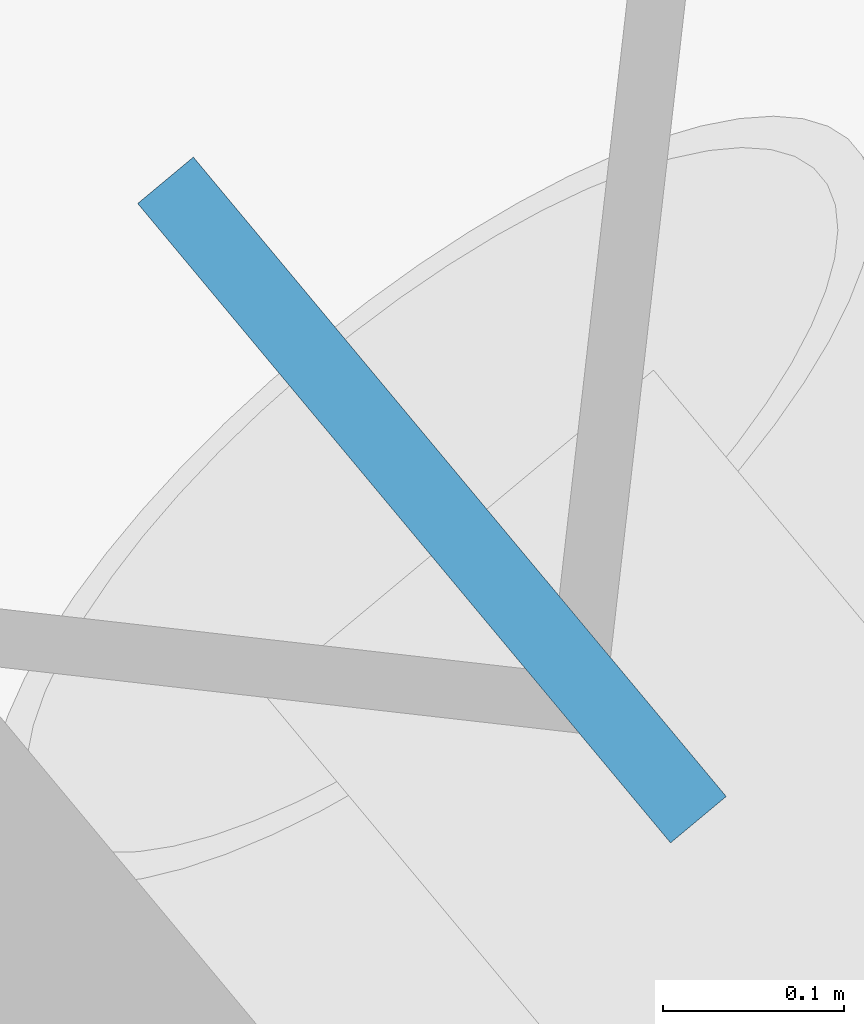
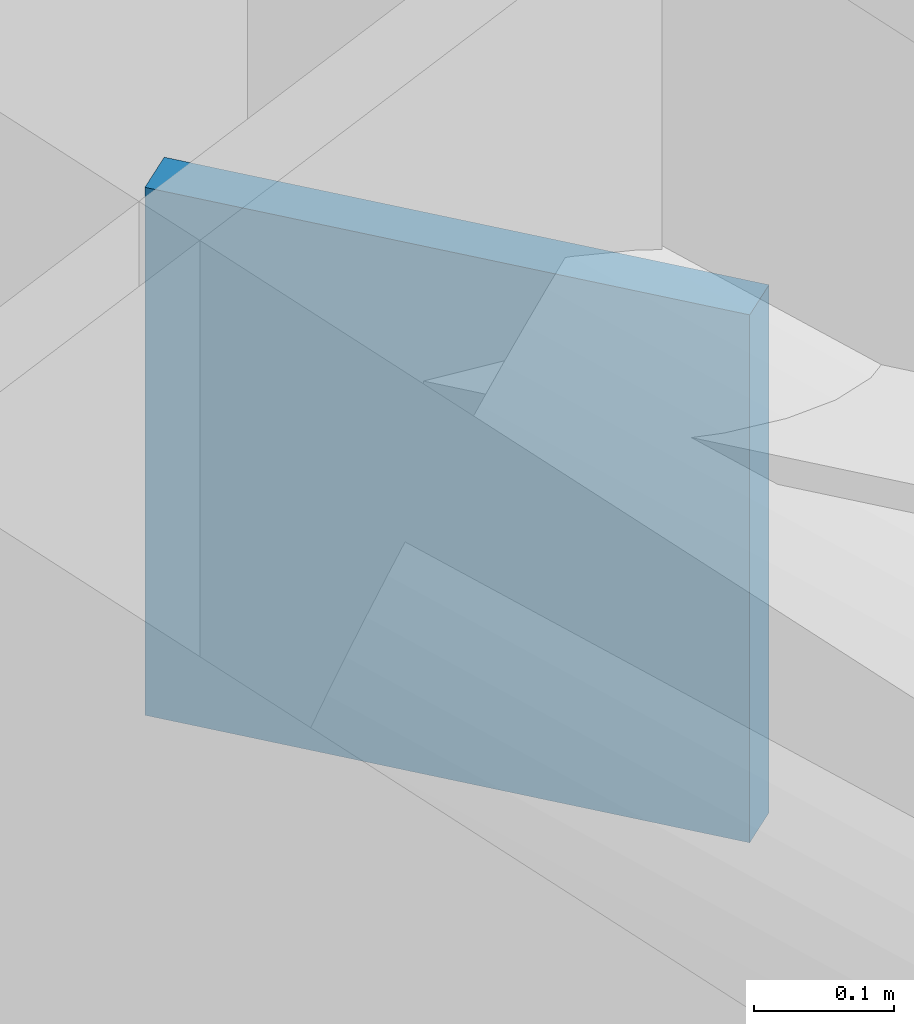
# One storey, part 20 of 21: 1 discrete accessory.
"""IFC4 building model written with IfcOpenShell, lengths in metres."""

from ifc_helpers import new_model, si_unit, direction, frame, origin, origin_2d, place, context, subcontext, project, spatial, rectangle, extrude, material, type_object, element, save


model = new_model("IFC4")

# Units and contexts
model_context = context("Model", 3, precision=1e-05, world=origin(), true_north=direction((0.0, 1.0)))
body_context = subcontext(model_context, "Body", "Model", "MODEL_VIEW")
ifc_project = project(units=[si_unit("LENGTHUNIT", "METRE"), si_unit("AREAUNIT", "SQUARE_METRE"), si_unit("VOLUMEUNIT", "CUBIC_METRE"), si_unit("PLANEANGLEUNIT", "RADIAN"), si_unit("MASSUNIT", "GRAM", prefix="KILO")], contexts=[model_context])

# Site, building, storey
site_placement = place(None, origin())
site = spatial("IfcSite", under=ifc_project, at=site_placement, CompositionType="ELEMENT")
building_placement = place(site_placement, origin())
building = spatial("IfcBuilding", under=site, at=building_placement, Name="Tavrogorsk Clinical Tower", CompositionType="ELEMENT")
storey_placement = place(building_placement, frame((0.0, 0.0, 129.39990234375)))
storey = spatial("IfcBuildingStorey", under=building, at=storey_placement, Name="L29", CompositionType="ELEMENT", Elevation=129.39990234375)

# Discrete accessory
ifc_material = material(Name="Structural steel S440", Category="steel")
discrete_accessory_type = type_object("IfcDiscreteAccessoryType", Name="GussetPlateBracket_25", PredefinedType="BRACKET", material=ifc_material)
discrete_accessory_placement = place(storey_placement, frame((37.2109375, 18.06640625, 2.68310546875), z_axis=(0.0, 0.0, 1.0), x_axis=(-0.640243780506, 0.768171791674, 0.0)))
element("IfcDiscreteAccessory", 1, at=discrete_accessory_placement, inside=storey, type_object=discrete_accessory_type, Name="L29 Brace Gusset Plate EXOCRN-L29-2-B", PredefinedType="BRACKET", context=body_context, shape_type="SweptSolid", body=[
    extrude(rectangle(XDim=0.4599609375, YDim=0.0400390625, at=origin_2d()), origin(), (0.0, 0.0, 1.0), 0.4599609375),
])

save(model, "model.ifc")
